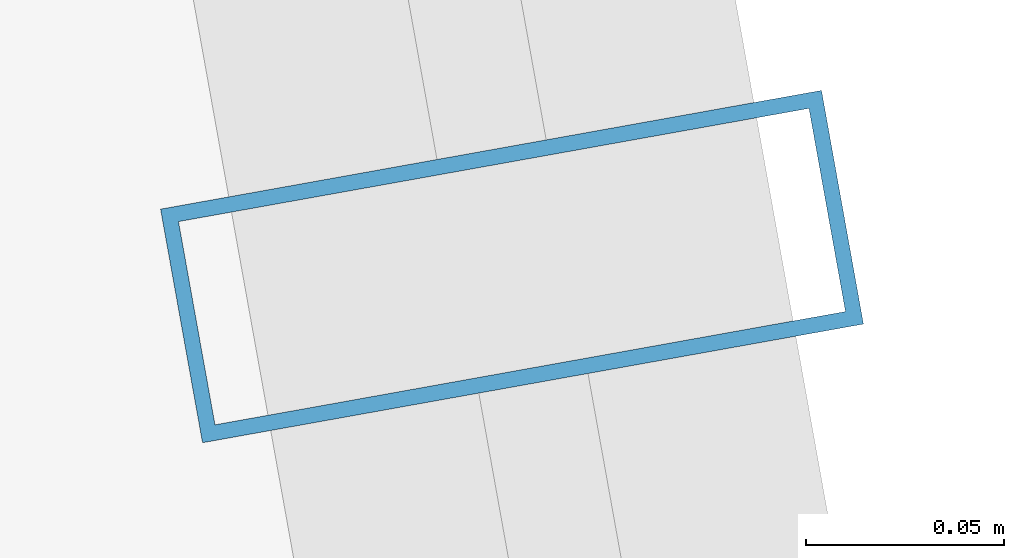
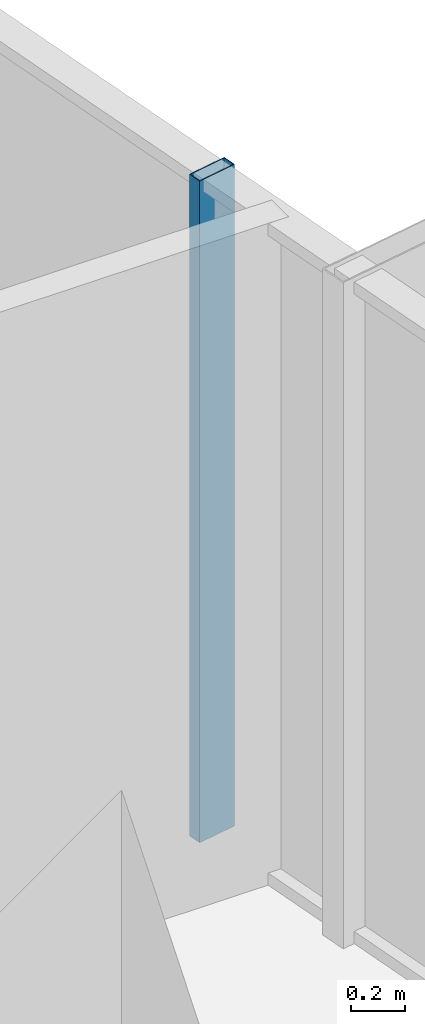
# One storey, part 20 of 36: 1 member, 1 element without a shape of its own.
"""IFC4 building model written with IfcOpenShell, lengths in metres."""

from ifc_helpers import new_model, si_unit, direction, frame, origin, origin_2d, place, context, subcontext, project, spatial, hollow_rectangle, extrude, source, transform, mapped, material, layer, layer_set, material_profile, profile_set, type_object, element, aggregate, save


model = new_model("IFC4")

# Units and contexts
model_context = context("Model", 3, precision=1e-05, world=origin(), true_north=direction((0.0, 1.0)))
body_context = subcontext(model_context, "Body", "Model", "MODEL_VIEW")
ifc_project = project(units=[si_unit("LENGTHUNIT", "METRE"), si_unit("AREAUNIT", "SQUARE_METRE"), si_unit("VOLUMEUNIT", "CUBIC_METRE"), si_unit("PLANEANGLEUNIT", "RADIAN"), si_unit("MASSUNIT", "GRAM", prefix="KILO")], contexts=[model_context])

# Site, building, storey
site_placement = place(None, origin())
site = spatial("IfcSite", under=ifc_project, at=site_placement, CompositionType="ELEMENT")
building_placement = place(site_placement, origin())
building = spatial("IfcBuilding", under=site, at=building_placement, Name="Veraguas Prism Commons", CompositionType="ELEMENT")
storey_placement = place(building_placement, frame((0.0, 0.0, 163.050048828125)))
storey = spatial("IfcBuildingStorey", under=building, at=storey_placement, Name="L46", CompositionType="ELEMENT", Elevation=163.050048828125)

# Curtain wall, member
ifc_material = material(Name="Anodised aluminium EN AW-6063 T6", Category="aluminium")
ifc_layer = layer(ifc_material, 0.169921875, Name="Unitised Flush Curtain Wall Zone 2", Category="aluminium")
ifc_layer_set = layer_set([ifc_layer], Name="Anodised aluminium EN AW-6063 T6")
curtain_wall_type = type_object("IfcCurtainWallType", Name="Unitised Flush Curtain Wall Zone 2", PredefinedType="NOTDEFINED", material=ifc_layer_set)
curtain_wall_placement = place(storey_placement, origin())
curtain_wall = element("IfcCurtainWall", 1, at=curtain_wall_placement, inside=storey, type_object=curtain_wall_type, Name="Tower Facade Curtain Wall L46-F6", PredefinedType="NOTDEFINED")
ifc_material_profile = material_profile(ifc_material, hollow_rectangle(XDim=0.06005859375, YDim=0.169921875, WallThickness=0.00390625, at=origin_2d()), Name="AL60X170X4")
ifc_profile_set = profile_set([ifc_material_profile], Name="Anodised aluminium EN AW-6063 T6")
member_type = type_object("IfcMemberType", Name="Curtain Wall Mullion Lower AL 60x170x4", PredefinedType="MULLION", material=ifc_profile_set)
shared_shape = source(origin(), body_context, "Body", "SweptSolid", [
    extrude(hollow_rectangle(XDim=0.06005859375, YDim=0.169921875, WallThickness=0.00390625, at=origin_2d()), origin(), (0.0, 0.0, 1.0), 3.0),
])
member_placement = place(storey_placement, frame((42.118896484375, 31.631103515625, 0.0), z_axis=(0.0, 0.0, 1.0), x_axis=(-0.176741180461, 0.984257362243, 0.0)))
member = element("IfcMember", 2, at=member_placement, type_object=member_type, Name="CW-Z2 Mullion 4", PredefinedType="MULLION", context=body_context, shape_type="MappedRepresentation", body=[
    mapped(shared_shape, transform((0.0, 0.0, 0.0), scale=1.0)),
])
aggregate(curtain_wall, [member])

save(model, "model.ifc")
